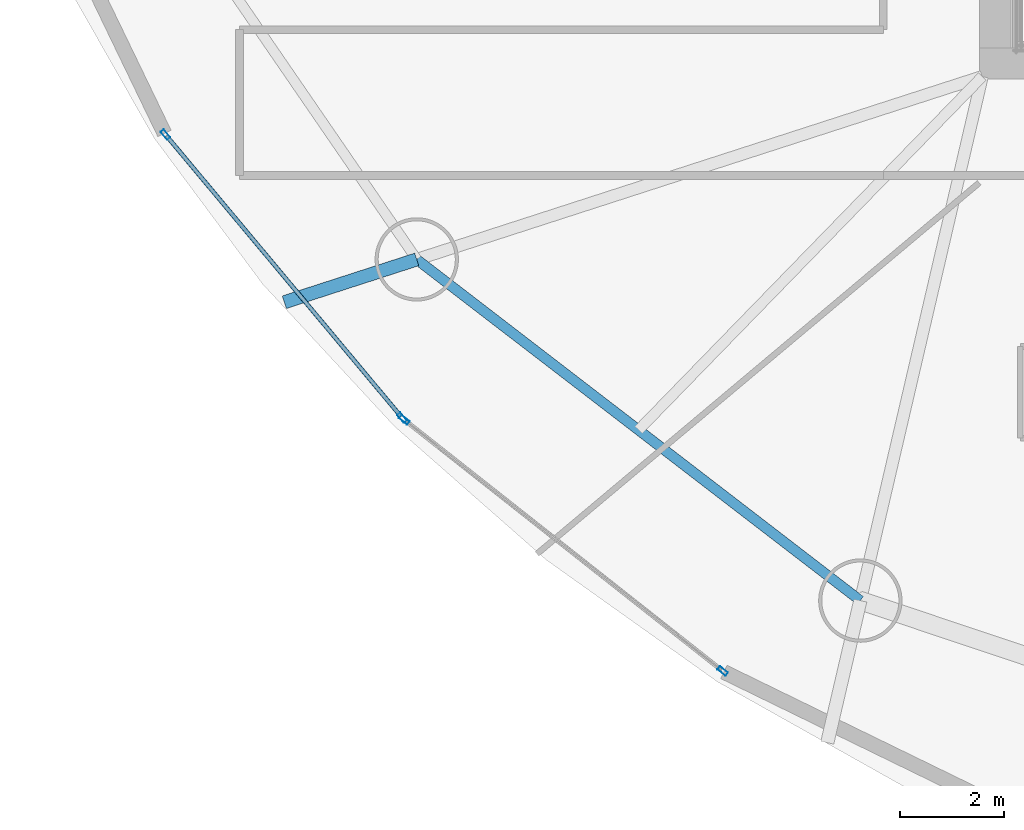
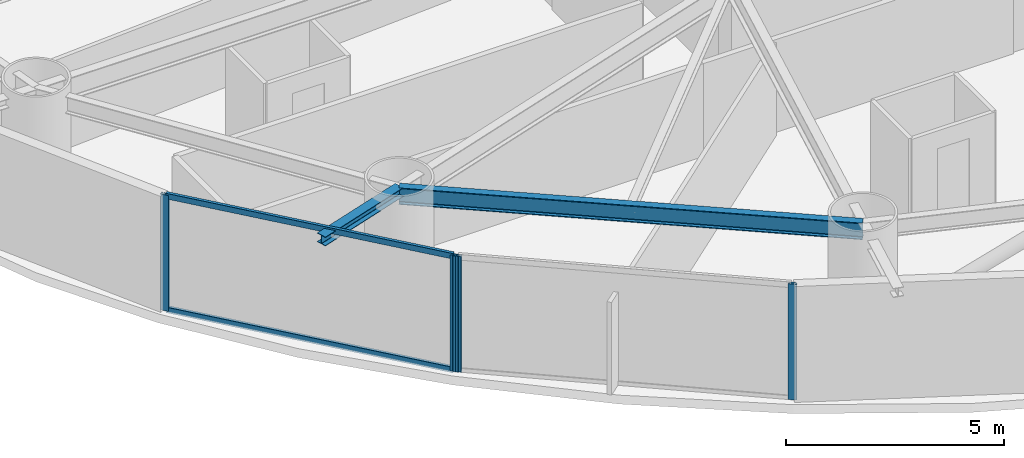
# One storey, part 2 of 25: 6 members, 2 beams, 2 elements without a shape of their own.
"""IFC4 building model written with IfcOpenShell, lengths in metres."""

from ifc_helpers import new_model, si_unit, direction, frame, origin, origin_2d, place, context, subcontext, project, spatial, hollow_rectangle, i_section, extrude, material, layer, layer_set, material_profile, profile_set, type_object, element, aggregate, save


model = new_model("IFC4")

# Units and contexts
model_context = context("Model", 3, precision=1e-05, world=origin(), true_north=direction((0.0, 1.0)))
body_context = subcontext(model_context, "Body", "Model", "MODEL_VIEW")
ifc_project = project(units=[si_unit("LENGTHUNIT", "METRE"), si_unit("AREAUNIT", "SQUARE_METRE"), si_unit("VOLUMEUNIT", "CUBIC_METRE"), si_unit("PLANEANGLEUNIT", "RADIAN"), si_unit("MASSUNIT", "GRAM", prefix="KILO")], contexts=[model_context])

# Site, building, storey
site_placement = place(None, origin())
site = spatial("IfcSite", under=ifc_project, at=site_placement, CompositionType="ELEMENT")
building_placement = place(site_placement, origin())
building = spatial("IfcBuilding", under=site, at=building_placement, Name="Bramvorn Convention Spire", CompositionType="ELEMENT")
storey_placement = place(building_placement, frame((0.0, 0.0, 55.39990234375)))
storey = spatial("IfcBuildingStorey", under=building, at=storey_placement, Name="L11", CompositionType="ELEMENT", Elevation=55.39990234375)

# Beams
ifc_material_1 = material(Name="Steel CSA G40.21 Grade 350 (350W)", Category="steel")
ifc_material_profile_1 = material_profile(ifc_material_1, i_section(OverallWidth=0.25390625, OverallDepth=0.2529296875, WebThickness=0.008544921875, FlangeThickness=0.01416015625, FilletRadius=0.011962890625, at=origin_2d()))
ifc_profile_set_1 = profile_set([ifc_material_profile_1], Name="Steel CSA G40.21 Grade 350 (350W) - W250X73")
beam_type_1 = type_object("IfcBeamType", Name="BM-W250X73", PredefinedType="BEAM", material=ifc_profile_set_1)
beam_1_placement = place(storey_placement, frame((15.894775390625, 15.039794921875, 3.12353515625), z_axis=(-0.951487816198, -0.307686424183, 0.0), x_axis=(0.307686424183, -0.951487816198, 0.0)))
element("IfcBeam", 1, at=beam_1_placement, inside=storey, type_object=beam_type_1, Name="L11 slab-edge cantilever tip beam MC11", PredefinedType="BEAM", context=body_context, shape_type="SweptSolid", body=[
    extrude(i_section(OverallWidth=0.25390625, OverallDepth=0.2529296875, WebThickness=0.008544921875, FlangeThickness=0.01416015625, FilletRadius=0.011962890625, at=origin_2d()), origin(), (0.0, 0.0, 1.0), 2.6708984375),
])
ifc_material_profile_2 = material_profile(ifc_material_1, i_section(OverallWidth=0.194091796875, OverallDepth=0.468994140625, WebThickness=0.0126953125, FlangeThickness=0.0205078125, FilletRadius=0.01806640625, at=origin_2d()))
ifc_profile_set_2 = profile_set([ifc_material_profile_2], Name="Steel CSA G40.21 Grade 350 (350W) - W460X106")
beam_type_2 = type_object("IfcBeamType", Name="BM-W460X106", PredefinedType="SPANDREL", material=ifc_profile_set_2)
beam_2_placement = place(storey_placement, frame((15.894775390625, 15.039794921875, 3.015625), z_axis=(0.792672990445, -0.609647053809, 0.0), x_axis=(0.609647053809, 0.792672990445, 0.0)))
element("IfcBeam", 2, at=beam_2_placement, inside=storey, type_object=beam_type_2, Name="L11 mega-column ring beam 11", PredefinedType="SPANDREL", context=body_context, shape_type="SweptSolid", body=[
    extrude(i_section(OverallWidth=0.194091796875, OverallDepth=0.468994140625, WebThickness=0.0126953125, FlangeThickness=0.0205078125, FilletRadius=0.01806640625, at=origin_2d()), origin(), (0.0, 0.0, 1.0), 10.741943359375),
])

# Curtain wall, members
ifc_material_2 = material(Name="Anodised Bronze Unitised Curtain Wall", Category="aluminium")
ifc_layer = layer(ifc_material_2, 0.179931640625)
ifc_layer_set = layer_set([ifc_layer], Name="Anodised Bronze Unitised Curtain Wall - CW-HTL-FRIT")
curtain_wall_type = type_object("IfcCurtainWallType", Name="CW-HTL-FRIT", PredefinedType="USERDEFINED", material=ifc_layer_set)
curtain_wall_1_placement = place(storey_placement, origin())
curtain_wall_1 = element("IfcCurtainWall", 3, at=curtain_wall_1_placement, inside=storey, type_object=curtain_wall_type, Name="L11 fritted glass curtain wall 15", ObjectType="UNITISED CURTAIN WALL", PredefinedType="USERDEFINED")
ifc_material_3 = material(Name="Anodised Bronze Aluminium 6063-T6", Category="aluminium")
ifc_material_profile_3 = material_profile(ifc_material_3, hollow_rectangle(XDim=0.080078125, YDim=0.199951171875, WallThickness=0.00390625, InnerFilletRadius=0.0009765625, OuterFilletRadius=0.00390625, at=origin_2d()))
ifc_profile_set_3 = profile_set([ifc_material_profile_3], Name="Anodised Bronze Aluminium 6063-T6 - CWM80X200")
member_type_1 = type_object("IfcMemberType", Name="CW-MUL-180", PredefinedType="MULLION", material=ifc_profile_set_3)
member_1_placement = place(storey_placement, frame((15.612548828125, 12.002197265625, 0.0), z_axis=(0.0, 0.0, 1.0), x_axis=(-0.767313949656, -0.641271629393, 0.0)))
member_1 = element("IfcMember", 4, at=member_1_placement, type_object=member_type_1, Name="CW2 mullion 1", PredefinedType="MULLION", context=body_context, shape_type="SweptSolid", body=[
    extrude(hollow_rectangle(XDim=0.080078125, YDim=0.199951171875, WallThickness=0.00390625, InnerFilletRadius=0.0009765625, OuterFilletRadius=0.00390625, at=origin_2d()), origin(), (0.0, 0.0, 1.0), 3.25),
])
member_2_placement = place(storey_placement, frame((11.070556640625, 17.436767578125, 0.0), z_axis=(0.0, 0.0, 1.0), x_axis=(-0.767313949656, -0.641271629393, 0.0)))
member_2 = element("IfcMember", 5, at=member_2_placement, type_object=member_type_1, Name="CW2 mullion 2", PredefinedType="MULLION", context=body_context, shape_type="SweptSolid", body=[
    extrude(hollow_rectangle(XDim=0.080078125, YDim=0.199951171875, WallThickness=0.00390625, InnerFilletRadius=0.0009765625, OuterFilletRadius=0.00390625, at=origin_2d()), origin(), (0.0, 0.0, 1.0), 3.25),
])

curtain_wall_2_placement = place(storey_placement, origin())
curtain_wall_2 = element("IfcCurtainWall", 6, at=curtain_wall_2_placement, inside=storey, type_object=curtain_wall_type, Name="L11 fritted glass curtain wall 16", ObjectType="UNITISED CURTAIN WALL", PredefinedType="USERDEFINED")
member_3_placement = place(storey_placement, frame((21.767333984375, 7.13916015625, 0.0), z_axis=(0.0, 0.0, 1.0), x_axis=(-0.619329716553, -0.785131009574, 0.0)))
member_3 = element("IfcMember", 7, at=member_3_placement, type_object=member_type_1, Name="CW2 mullion 1", PredefinedType="MULLION", context=body_context, shape_type="SweptSolid", body=[
    extrude(hollow_rectangle(XDim=0.080078125, YDim=0.199951171875, WallThickness=0.00390625, InnerFilletRadius=0.0009765625, OuterFilletRadius=0.00390625, at=origin_2d()), origin(), (0.0, 0.0, 1.0), 3.25),
])
member_4_placement = place(storey_placement, frame((15.6552734375, 11.96044921875, 0.0), z_axis=(0.0, 0.0, 1.0), x_axis=(-0.619329716553, -0.785131009574, 0.0)))
member_4 = element("IfcMember", 8, at=member_4_placement, type_object=member_type_1, Name="CW2 mullion 2", PredefinedType="MULLION", context=body_context, shape_type="SweptSolid", body=[
    extrude(hollow_rectangle(XDim=0.080078125, YDim=0.199951171875, WallThickness=0.00390625, InnerFilletRadius=0.0009765625, OuterFilletRadius=0.00390625, at=origin_2d()), origin(), (0.0, 0.0, 1.0), 3.25),
])
aggregate(curtain_wall_2, [member_3, member_4])

# Member
ifc_material_profile_4 = material_profile(ifc_material_3, hollow_rectangle(XDim=0.080078125, YDim=0.159912109375, WallThickness=0.00390625, InnerFilletRadius=0.0009765625, OuterFilletRadius=0.00390625, at=origin_2d()))
ifc_profile_set_4 = profile_set([ifc_material_profile_4], Name="Anodised Bronze Aluminium 6063-T6 - CWT80X160")
member_type_2 = type_object("IfcMemberType", Name="CW-TRN-150", PredefinedType="USERDEFINED", material=ifc_profile_set_4)
member_5_placement = place(storey_placement, frame((15.59326171875, 12.025146484375, 0.030029296875), z_axis=(-0.641284780563, 0.767302958562, 0.0), x_axis=(-0.767302958562, -0.641284780563, 0.0)))
member_5 = element("IfcMember", 9, at=member_5_placement, type_object=member_type_2, Name="CW2 transom 1.1", ObjectType="TRANSOM", PredefinedType="USERDEFINED", context=body_context, shape_type="SweptSolid", body=[
    extrude(hollow_rectangle(XDim=0.080078125, YDim=0.159912109375, WallThickness=0.00390625, InnerFilletRadius=0.0009765625, OuterFilletRadius=0.00390625, at=origin_2d()), origin(), (0.0, 0.0, 1.0), 7.02294921875),
])

member_6_placement = place(storey_placement, frame((15.59326171875, 12.025146484375, 3.22021484375), z_axis=(-0.641284780563, 0.767302958562, 0.0), x_axis=(-0.767302958562, -0.641284780563, 0.0)))
member_6 = element("IfcMember", 10, at=member_6_placement, type_object=member_type_2, Name="CW2 transom 1.2", ObjectType="TRANSOM", PredefinedType="USERDEFINED", context=body_context, shape_type="SweptSolid", body=[
    extrude(hollow_rectangle(XDim=0.080078125, YDim=0.159912109375, WallThickness=0.00390625, InnerFilletRadius=0.0009765625, OuterFilletRadius=0.00390625, at=origin_2d()), origin(), (0.0, 0.0, 1.0), 7.02294921875),
])

aggregate(curtain_wall_1, [member_1, member_2, member_5, member_6])

save(model, "model.ifc")
